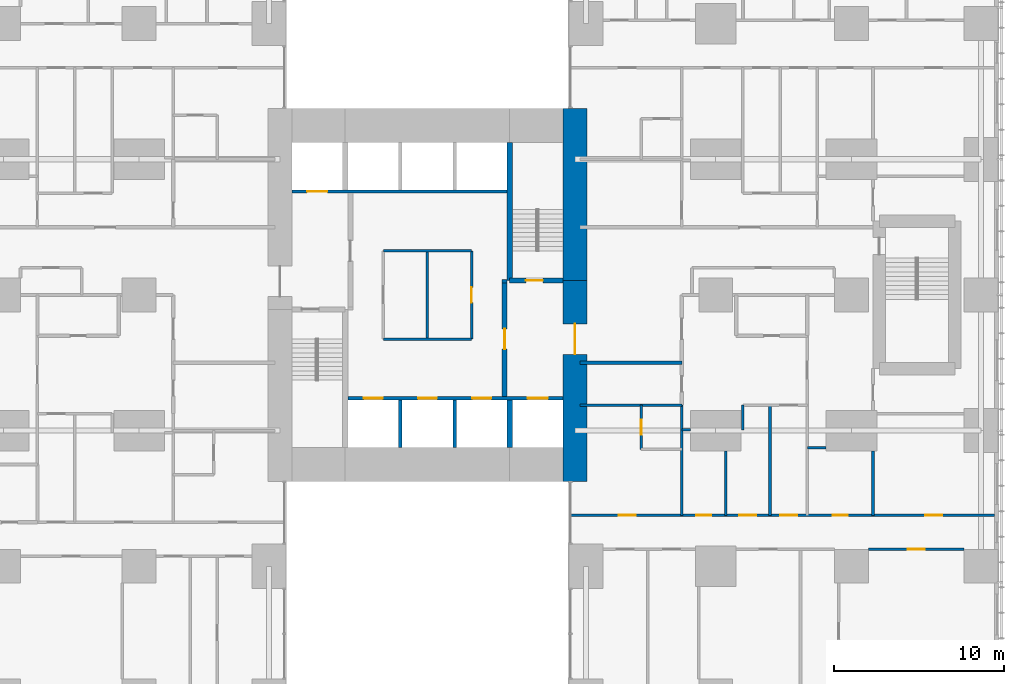
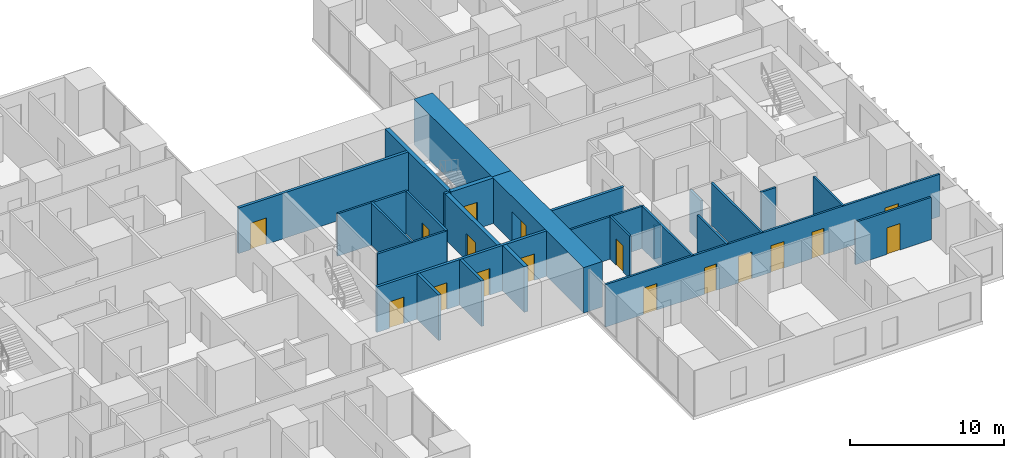
# One storey, part 15 of 20: 27 walls, 17 doors, 17 openings.
"""IFC4 building model written with IfcOpenShell, lengths in metres."""

from ifc_helpers import new_model, si_unit, direction, frame, frame_2d, origin, place, context, subcontext, project, spatial, rectangle, extrude, material, layer, layer_set, type_object, element, fill, save


model = new_model("IFC4")

# Units and contexts
model_context = context("Model", 3, precision=1e-05, world=origin(), true_north=direction((0.0, 1.0)))
body_context = subcontext(model_context, "Body", "Model", "MODEL_VIEW")
ifc_project = project(units=[si_unit("LENGTHUNIT", "METRE"), si_unit("AREAUNIT", "SQUARE_METRE"), si_unit("VOLUMEUNIT", "CUBIC_METRE"), si_unit("PLANEANGLEUNIT", "RADIAN"), si_unit("MASSUNIT", "GRAM", prefix="KILO")], contexts=[model_context])

# Site, building, storey
site_placement = place(None, origin())
site = spatial("IfcSite", under=ifc_project, at=site_placement, CompositionType="ELEMENT")
building_placement = place(site_placement, origin())
building = spatial("IfcBuilding", under=site, at=building_placement, Name="Cleftline Residences", CompositionType="ELEMENT")
storey_placement = place(building_placement, frame((0.0, 0.0, 153.800048828125)))
storey = spatial("IfcBuildingStorey", under=building, at=storey_placement, Name="L40", CompositionType="ELEMENT", Elevation=153.800048828125)

# Wall, opening, door
ifc_material_1 = material(Name="Concrete B70", Category="concrete")
ifc_layer_1 = layer(ifc_material_1, 1.39990234375)
ifc_layer_set_1 = layer_set([ifc_layer_1], Name="CORE WALL 1400")
wall_type_1 = type_object("IfcWallType", Name="CORE WALL 1400", PredefinedType="SHEAR", material=ifc_layer_set_1)
wall_1_placement = place(storey_placement, frame((41.699951171875, 13.0, 0.0), z_axis=(0.0, 0.0, 1.0), x_axis=(0.0, 1.0, 0.0)))
wall_1 = element("IfcWall", 1, at=wall_1_placement, inside=storey, type_object=wall_type_1, Name="Core wall E", PredefinedType="SHEAR", context=body_context, shape_type="SweptSolid", body=[
    extrude(rectangle(XDim=11.85009765625, YDim=1.39990234375, at=frame_2d((5.925048828125, 0.0))), origin(), (0.0, 0.0, 1.0), 3.599853515625),
])
opening_1_placement = place(wall_1_placement, frame((7.5, 0.0, 0.0)))
opening_1 = element("IfcOpeningElement", 2, at=opening_1_placement, cuts=wall_1, Name="Opening D7", PredefinedType="OPENING", context=body_context, shape_type="SweptSolid", body=[
    extrude(rectangle(XDim=1.800048828125, YDim=2.39990234375, at=frame_2d((0.89990234375, 1.199951171875))), frame((0.0, 0.7099609375, 0.0), z_axis=(0.0, -1.0, 0.0), x_axis=(1.0, 0.0, 0.0)), (0.0, 0.0, 1.0), 1.419921875),
])
ifc_material_2 = material(Name="Steel", Category="steel")
door_type_1 = type_object("IfcDoorType", Name="WING DOOR 1800X2400", OperationType="DOUBLE_DOOR_DOUBLE_SWING", PredefinedType="DOOR", material=ifc_material_2)
door_1_placement = place(opening_1_placement, origin())
door_1 = element("IfcDoor", 3, at=door_1_placement, inside=storey, type_object=door_type_1, Name="East wing door", OperationType="DOUBLE_DOOR_DOUBLE_SWING", OverallHeight=2.39990234375, OverallWidth=1.800048828125, PredefinedType="DOOR", context=body_context, shape_type="SweptSolid", body=[
    extrude(rectangle(XDim=1.800048828125, YDim=2.39990234375, at=frame_2d((0.89990234375, 1.199951171875))), frame((0.0, 0.02490234375, 0.0), z_axis=(0.0, -1.0, 0.0), x_axis=(1.0, 0.0, 0.0)), (0.0, 0.0, 1.0), 0.050048828125),
])
fill(opening_1, door_1)

# Walls
wall_2_placement = place(storey_placement, frame((41.699951171875, 24.85009765625, 0.0), z_axis=(0.0, 0.0, 1.0), x_axis=(0.0, 1.0, 0.0)))
element("IfcWall", 4, at=wall_2_placement, inside=storey, type_object=wall_type_1, Name="Core wall E1", PredefinedType="SHEAR", context=body_context, shape_type="SweptSolid", body=[
    extrude(rectangle(XDim=10.14990234375, YDim=1.39990234375, at=frame_2d((5.074951171875, 0.0))), origin(), (0.0, 0.0, 1.0), 3.599853515625),
])
ifc_material_3 = material(Name="Concrete B70", Category="concrete")
ifc_layer_2 = layer(ifc_material_3, 0.300048828125)
ifc_layer_set_2 = layer_set([ifc_layer_2], Name="CORE WALL 300")
wall_type_2 = type_object("IfcWallType", Name="CORE WALL 300", PredefinedType="SHEAR", material=ifc_layer_set_2)
wall_3_placement = place(storey_placement, frame((37.85009765625, 24.85009765625, 0.0), z_axis=(0.0, 0.0, 1.0), x_axis=(0.0, 1.0, 0.0)))
element("IfcWall", 5, at=wall_3_placement, inside=storey, type_object=wall_type_2, Name="Core wall SB-W", PredefinedType="SHEAR", context=body_context, shape_type="SweptSolid", body=[
    extrude(rectangle(XDim=8.14990234375, YDim=0.300048828125, at=frame_2d((4.074951171875, 0.0))), origin(), (0.0, 0.0, 1.0), 3.599853515625),
])

# Wall, opening, door
wall_4_placement = place(storey_placement, frame((37.85009765625, 24.85009765625, 0.0), z_axis=(0.0, 0.0, 1.0), x_axis=(1.0, 0.0, 0.0)))
wall_4 = element("IfcWall", 6, at=wall_4_placement, inside=storey, type_object=wall_type_2, Name="Core wall SB-S", PredefinedType="SHEAR", context=body_context, shape_type="SweptSolid", body=[
    extrude(rectangle(XDim=3.14990234375, YDim=0.300048828125, at=frame_2d((1.574951171875, 0.0))), origin(), (0.0, 0.0, 1.0), 3.599853515625),
])
opening_2_placement = place(wall_4_placement, frame((0.949951171875, 0.0, 0.0)))
opening_2 = element("IfcOpeningElement", 7, at=opening_2_placement, cuts=wall_4, Name="Opening D5", PredefinedType="OPENING", context=body_context, shape_type="SweptSolid", body=[
    extrude(rectangle(XDim=1.0, YDim=2.10009765625, at=frame_2d((0.5, 1.050048828125))), frame((0.0, 0.159912109375, 0.0), z_axis=(0.0, -1.0, 0.0), x_axis=(1.0, 0.0, 0.0)), (0.0, 0.0, 1.0), 0.320068359375),
])
ifc_material_4 = material(Name="Steel", Category="steel")
door_type_2 = type_object("IfcDoorType", Name="STAIR DOOR 1000X2100", OperationType="SINGLE_SWING_LEFT", PredefinedType="DOOR", material=ifc_material_4)
door_2_placement = place(opening_2_placement, origin())
door_2 = element("IfcDoor", 8, at=door_2_placement, inside=storey, type_object=door_type_2, Name="Stair B door", OperationType="SINGLE_SWING_RIGHT", OverallHeight=2.10009765625, OverallWidth=1.0, PredefinedType="DOOR", context=body_context, shape_type="SweptSolid", body=[
    extrude(rectangle(XDim=1.0, YDim=2.10009765625, at=frame_2d((0.5, 1.050048828125))), frame((0.0, 0.02490234375, 0.0), z_axis=(0.0, -1.0, 0.0), x_axis=(1.0, 0.0, 0.0)), (0.0, 0.0, 1.0), 0.050048828125),
])
fill(opening_2, door_2)

# Walls
wall_5_placement = place(storey_placement, frame((37.85009765625, 15.0, 0.0), z_axis=(0.0, 0.0, 1.0), x_axis=(0.0, 1.0, 0.0)))
element("IfcWall", 9, at=wall_5_placement, inside=storey, type_object=wall_type_2, Name="Lift shaft wall", PredefinedType="SHEAR", context=body_context, shape_type="SweptSolid", body=[
    extrude(rectangle(XDim=2.800048828125, YDim=0.300048828125, at=frame_2d((1.39990234375, 0.0))), origin(), (0.0, 0.0, 1.0), 3.599853515625),
])
ifc_material_5 = material(Name="Concrete blockwork, fire rated", Category="masonry")
ifc_layer_3 = layer(ifc_material_5, 0.199951171875)
ifc_layer_set_3 = layer_set([ifc_layer_3], Name="FIRE WALL 200")
wall_type_3 = type_object("IfcWallType", Name="FIRE WALL 200", PredefinedType="PARTITIONING", material=ifc_layer_set_3)
wall_6_placement = place(storey_placement, frame((42.0, 20.0, 0.0), z_axis=(0.0, 0.0, 1.0), x_axis=(1.0, 0.0, 0.0)))
element("IfcWall", 10, at=wall_6_placement, inside=storey, type_object=wall_type_3, Name="Fire separating wall", PredefinedType="PARTITIONING", context=body_context, shape_type="SweptSolid", body=[
    extrude(rectangle(XDim=6.0, YDim=0.199951171875, at=frame_2d((3.0, 0.0))), origin(), (0.0, 0.0, 1.0), 3.349853515625),
])
wall_7_placement = place(storey_placement, frame((37.39990234375, 24.800048828125, 0.0), z_axis=(0.0, 0.0, 1.0), x_axis=(1.0, 0.0, 0.0)))
element("IfcWall", 11, at=wall_7_placement, inside=storey, type_object=wall_type_3, Name="Fire separating wall", PredefinedType="PARTITIONING", context=body_context, shape_type="SweptSolid", body=[
    extrude(rectangle(XDim=0.300048828125, YDim=0.199951171875, at=frame_2d((0.14990234375, 0.0))), origin(), (0.0, 0.0, 1.0), 3.599853515625),
])

# Wall, opening, door
ifc_material_6 = material(Name="Gypsum board on steel studs", Category="steel")
ifc_layer_4 = layer(ifc_material_6, 0.14990234375)
ifc_layer_set_4 = layer_set([ifc_layer_4], Name="PARTITION 150")
wall_type_4 = type_object("IfcWallType", Name="PARTITION 150", PredefinedType="PARTITIONING", material=ifc_layer_set_4)
wall_8_placement = place(storey_placement, frame((59.0, 9.0, 0.0), z_axis=(0.0, 0.0, 1.0), x_axis=(1.0, 0.0, 0.0)))
wall_8 = element("IfcWall", 12, at=wall_8_placement, inside=storey, type_object=wall_type_4, Name="Partition", PredefinedType="PARTITIONING", context=body_context, shape_type="SweptSolid", body=[
    extrude(rectangle(XDim=5.64990234375, YDim=0.14990234375, at=frame_2d((2.824951171875, 0.0))), origin(), (0.0, 0.0, 1.0), 3.349853515625),
])
opening_3_placement = place(wall_8_placement, frame((2.324951171875, 0.0, 0.0)))
opening_3 = element("IfcOpeningElement", 13, at=opening_3_placement, cuts=wall_8, Name="Opening D2", PredefinedType="OPENING", context=body_context, shape_type="SweptSolid", body=[
    extrude(rectangle(XDim=1.0, YDim=2.10009765625, at=frame_2d((0.5, 1.050048828125))), frame((0.0, 0.0849609375, 0.0), z_axis=(0.0, -1.0, 0.0), x_axis=(1.0, 0.0, 0.0)), (0.0, 0.0, 1.0), 0.169921875),
])
ifc_material_7 = material(Name="Timber veneer on solid core", Category="wood")
door_type_3 = type_object("IfcDoorType", Name="DOOR 1000X2100", OperationType="SINGLE_SWING_LEFT", PredefinedType="DOOR", material=ifc_material_7)
door_3_placement = place(opening_3_placement, origin())
door_3 = element("IfcDoor", 14, at=door_3_placement, inside=storey, type_object=door_type_3, Name="Door to sea-view living room", OperationType="SINGLE_SWING_LEFT", OverallHeight=2.10009765625, OverallWidth=1.0, PredefinedType="DOOR", context=body_context, shape_type="SweptSolid", body=[
    extrude(rectangle(XDim=1.0, YDim=2.10009765625, at=frame_2d((0.5, 1.050048828125))), frame((0.0, 0.02490234375, 0.0), z_axis=(0.0, -1.0, 0.0), x_axis=(1.0, 0.0, 0.0)), (0.0, 0.0, 1.0), 0.050048828125),
])
fill(opening_3, door_3)

# Wall, openings, doors
wall_9_placement = place(storey_placement, frame((41.43896484375, 11.0, 0.0), z_axis=(0.0, 0.0, 1.0), x_axis=(1.0, 0.0, 0.0)))
wall_9 = element("IfcWall", 15, at=wall_9_placement, inside=storey, type_object=wall_type_4, Name="Partition", PredefinedType="PARTITIONING", context=body_context, shape_type="SweptSolid", body=[
    extrude(rectangle(XDim=25.010986328125, YDim=0.14990234375, at=frame_2d((12.50537109375, 0.0))), origin(), (0.0, 0.0, 1.0), 3.349853515625),
])
opening_4_placement = place(wall_9_placement, frame((12.361083984375, 0.0, 0.0)))
opening_4 = element("IfcOpeningElement", 16, at=opening_4_placement, cuts=wall_9, Name="Opening D2F30", PredefinedType="OPENING", context=body_context, shape_type="SweptSolid", body=[
    extrude(rectangle(XDim=1.0, YDim=2.10009765625, at=frame_2d((0.5, 1.050048828125))), frame((0.0, 0.0849609375, 0.0), z_axis=(0.0, -1.0, 0.0), x_axis=(1.0, 0.0, 0.0)), (0.0, 0.0, 1.0), 0.169921875),
])
opening_5_placement = place(wall_9_placement, frame((20.923583984375, 0.0, 0.0)))
opening_5 = element("IfcOpeningElement", 17, at=opening_5_placement, cuts=wall_9, Name="Opening D2F30", PredefinedType="OPENING", context=body_context, shape_type="SweptSolid", body=[
    extrude(rectangle(XDim=1.0, YDim=2.10009765625, at=frame_2d((0.5, 1.050048828125))), frame((0.0, 0.0849609375, 0.0), z_axis=(0.0, -1.0, 0.0), x_axis=(1.0, 0.0, 0.0)), (0.0, 0.0, 1.0), 0.169921875),
])
opening_6_placement = place(wall_9_placement, frame((15.448486328125, 0.0, 0.0)))
opening_6 = element("IfcOpeningElement", 18, at=opening_6_placement, cuts=wall_9, Name="Opening D1F30", PredefinedType="OPENING", context=body_context, shape_type="SweptSolid", body=[
    extrude(rectangle(XDim=0.89990234375, YDim=2.10009765625, at=frame_2d((0.449951171875, 1.050048828125))), frame((0.0, 0.0849609375, 0.0), z_axis=(0.0, -1.0, 0.0), x_axis=(1.0, 0.0, 0.0)), (0.0, 0.0, 1.0), 0.169921875),
])
opening_7_placement = place(wall_9_placement, frame((9.9609375, 0.0, 0.0)))
opening_7 = element("IfcOpeningElement", 19, at=opening_7_placement, cuts=wall_9, Name="Opening D2F30", PredefinedType="OPENING", context=body_context, shape_type="SweptSolid", body=[
    extrude(rectangle(XDim=1.0, YDim=2.10009765625, at=frame_2d((0.5, 1.050048828125))), frame((0.0, 0.0849609375, 0.0), z_axis=(0.0, -1.0, 0.0), x_axis=(1.0, 0.0, 0.0)), (0.0, 0.0, 1.0), 0.169921875),
])
opening_8_placement = place(wall_9_placement, frame((7.410888671875, 0.0, 0.0)))
opening_8 = element("IfcOpeningElement", 20, at=opening_8_placement, cuts=wall_9, Name="Opening D1F30", PredefinedType="OPENING", context=body_context, shape_type="SweptSolid", body=[
    extrude(rectangle(XDim=0.89990234375, YDim=2.10009765625, at=frame_2d((0.449951171875, 1.050048828125))), frame((0.0, 0.0849609375, 0.0), z_axis=(0.0, -1.0, 0.0), x_axis=(1.0, 0.0, 0.0)), (0.0, 0.0, 1.0), 0.169921875),
])
opening_9_placement = place(wall_9_placement, frame((2.8359375, 0.0, 0.0)))
opening_9 = element("IfcOpeningElement", 21, at=opening_9_placement, cuts=wall_9, Name="Opening D2F30", PredefinedType="OPENING", context=body_context, shape_type="SweptSolid", body=[
    extrude(rectangle(XDim=1.0, YDim=2.10009765625, at=frame_2d((0.5, 1.050048828125))), frame((0.0, 0.0849609375, 0.0), z_axis=(0.0, -1.0, 0.0), x_axis=(1.0, 0.0, 0.0)), (0.0, 0.0, 1.0), 0.169921875),
])
ifc_material_8 = material(Name="Timber veneer on solid core", Category="wood")
door_type_4 = type_object("IfcDoorType", Name="DOOR 1000X2100 EI 30", OperationType="SINGLE_SWING_LEFT", PredefinedType="DOOR", material=ifc_material_8)
door_4_placement = place(opening_4_placement, origin())
door_4 = element("IfcDoor", 22, at=door_4_placement, inside=storey, type_object=door_type_4, Name="Door to residence hall (gallery)", OperationType="SINGLE_SWING_LEFT", OverallHeight=2.10009765625, OverallWidth=1.0, PredefinedType="DOOR", context=body_context, shape_type="SweptSolid", body=[
    extrude(rectangle(XDim=1.0, YDim=2.10009765625, at=frame_2d((0.5, 1.050048828125))), frame((0.0, 0.02490234375, 0.0), z_axis=(0.0, -1.0, 0.0), x_axis=(1.0, 0.0, 0.0)), (0.0, 0.0, 1.0), 0.050048828125),
])
fill(opening_4, door_4)
door_5_placement = place(opening_5_placement, origin())
door_5 = element("IfcDoor", 23, at=door_5_placement, inside=storey, type_object=door_type_4, Name="Door to altar room", OperationType="SINGLE_SWING_LEFT", OverallHeight=2.10009765625, OverallWidth=1.0, PredefinedType="DOOR", context=body_context, shape_type="SweptSolid", body=[
    extrude(rectangle(XDim=1.0, YDim=2.10009765625, at=frame_2d((0.5, 1.050048828125))), frame((0.0, 0.02490234375, 0.0), z_axis=(0.0, -1.0, 0.0), x_axis=(1.0, 0.0, 0.0)), (0.0, 0.0, 1.0), 0.050048828125),
])
fill(opening_5, door_5)
door_6_placement = place(opening_7_placement, origin())
door_6 = element("IfcDoor", 24, at=door_6_placement, inside=storey, type_object=door_type_4, Name="Door to wet kitchen", OperationType="SINGLE_SWING_RIGHT", OverallHeight=2.10009765625, OverallWidth=1.0, PredefinedType="DOOR", context=body_context, shape_type="SweptSolid", body=[
    extrude(rectangle(XDim=1.0, YDim=2.10009765625, at=frame_2d((0.5, 1.050048828125))), frame((0.0, 0.02490234375, 0.0), z_axis=(0.0, -1.0, 0.0), x_axis=(1.0, 0.0, 0.0)), (0.0, 0.0, 1.0), 0.050048828125),
])
fill(opening_7, door_6)
door_7_placement = place(opening_9_placement, origin())
door_7 = element("IfcDoor", 25, at=door_7_placement, inside=storey, type_object=door_type_4, Name="Door to staff bedroom", OperationType="SINGLE_SWING_RIGHT", OverallHeight=2.10009765625, OverallWidth=1.0, PredefinedType="DOOR", context=body_context, shape_type="SweptSolid", body=[
    extrude(rectangle(XDim=1.0, YDim=2.10009765625, at=frame_2d((0.5, 1.050048828125))), frame((0.0, 0.02490234375, 0.0), z_axis=(0.0, -1.0, 0.0), x_axis=(1.0, 0.0, 0.0)), (0.0, 0.0, 1.0), 0.050048828125),
])
fill(opening_9, door_7)
ifc_material_9 = material(Name="Timber veneer on solid core", Category="wood")
door_type_5 = type_object("IfcDoorType", Name="DOOR 900X2100 EI 30", OperationType="SINGLE_SWING_LEFT", PredefinedType="DOOR", material=ifc_material_9)
door_8_placement = place(opening_6_placement, origin())
door_8 = element("IfcDoor", 26, at=door_8_placement, inside=storey, type_object=door_type_5, Name="Door to store room", OperationType="SINGLE_SWING_LEFT", OverallHeight=2.10009765625, OverallWidth=0.89990234375, PredefinedType="DOOR", context=body_context, shape_type="SweptSolid", body=[
    extrude(rectangle(XDim=0.89990234375, YDim=2.10009765625, at=frame_2d((0.449951171875, 1.050048828125))), frame((0.0, 0.02490234375, 0.0), z_axis=(0.0, -1.0, 0.0), x_axis=(1.0, 0.0, 0.0)), (0.0, 0.0, 1.0), 0.050048828125),
])
fill(opening_6, door_8)
door_9_placement = place(opening_8_placement, origin())
door_9 = element("IfcDoor", 27, at=door_9_placement, inside=storey, type_object=door_type_5, Name="Door to pantry", OperationType="SINGLE_SWING_RIGHT", OverallHeight=2.10009765625, OverallWidth=0.89990234375, PredefinedType="DOOR", context=body_context, shape_type="SweptSolid", body=[
    extrude(rectangle(XDim=0.89990234375, YDim=2.10009765625, at=frame_2d((0.449951171875, 1.050048828125))), frame((0.0, 0.02490234375, 0.0), z_axis=(0.0, -1.0, 0.0), x_axis=(1.0, 0.0, 0.0)), (0.0, 0.0, 1.0), 0.050048828125),
])
fill(opening_8, door_9)

# Walls
wall_10_placement = place(storey_placement, frame((55.39990234375, 15.0, 0.0), z_axis=(0.0, 0.0, 1.0), x_axis=(1.0, 0.0, 0.0)))
element("IfcWall", 28, at=wall_10_placement, inside=storey, type_object=wall_type_4, Name="Partition", PredefinedType="PARTITIONING", context=body_context, shape_type="SweptSolid", body=[
    extrude(rectangle(XDim=1.10009765625, YDim=0.14990234375, at=frame_2d((0.550048828125, 0.0))), origin(), (0.0, 0.0, 1.0), 3.349853515625),
])
wall_11_placement = place(storey_placement, frame((48.0, 16.050048828125, 0.0), z_axis=(0.0, 0.0, 1.0), x_axis=(1.0, 0.0, 0.0)))
element("IfcWall", 29, at=wall_11_placement, inside=storey, type_object=wall_type_4, Name="Partition", PredefinedType="PARTITIONING", context=body_context, shape_type="SweptSolid", body=[
    extrude(rectangle(XDim=0.5, YDim=0.14990234375, at=frame_2d((0.25, 0.0))), origin(), (0.0, 0.0, 1.0), 2.634033203125),
])
wall_12_placement = place(storey_placement, frame((42.0, 17.5, 0.0), z_axis=(0.0, 0.0, 1.0), x_axis=(1.0, 0.0, 0.0)))
element("IfcWall", 30, at=wall_12_placement, inside=storey, type_object=wall_type_4, Name="Partition", PredefinedType="PARTITIONING", context=body_context, shape_type="SweptSolid", body=[
    extrude(rectangle(XDim=6.0, YDim=0.14990234375, at=frame_2d((3.0, 0.0))), origin(), (0.0, 0.0, 1.0), 3.349853515625),
])

# Wall, opening, door
wall_13_placement = place(storey_placement, frame((45.60009765625, 14.89990234375, 0.0), z_axis=(0.0, 0.0, 1.0), x_axis=(0.0, 1.0, 0.0)))
wall_13 = element("IfcWall", 31, at=wall_13_placement, inside=storey, type_object=wall_type_4, Name="Partition", PredefinedType="PARTITIONING", context=body_context, shape_type="SweptSolid", body=[
    extrude(rectangle(XDim=2.60009765625, YDim=0.14990234375, at=frame_2d((1.300048828125, 0.0))), origin(), (0.0, 0.0, 1.0), 3.349853515625),
])
opening_10_placement = place(wall_13_placement, frame((0.85009765625, 0.0, 0.0)))
opening_10 = element("IfcOpeningElement", 32, at=opening_10_placement, cuts=wall_13, Name="Opening D1", PredefinedType="OPENING", context=body_context, shape_type="SweptSolid", body=[
    extrude(rectangle(XDim=0.89990234375, YDim=2.10009765625, at=frame_2d((0.449951171875, 1.050048828125))), frame((0.0, 0.0849609375, 0.0), z_axis=(0.0, -1.0, 0.0), x_axis=(1.0, 0.0, 0.0)), (0.0, 0.0, 1.0), 0.169921875),
])
ifc_material_10 = material(Name="Timber veneer on solid core", Category="wood")
door_type_6 = type_object("IfcDoorType", Name="DOOR 900X2100", OperationType="SINGLE_SWING_LEFT", PredefinedType="DOOR", material=ifc_material_10)
door_10_placement = place(opening_10_placement, origin())
door_10 = element("IfcDoor", 33, at=door_10_placement, inside=storey, type_object=door_type_6, Name="Door to staff shower room", OperationType="SINGLE_SWING_LEFT", OverallHeight=2.10009765625, OverallWidth=0.89990234375, PredefinedType="DOOR", context=body_context, shape_type="SweptSolid", body=[
    extrude(rectangle(XDim=0.89990234375, YDim=2.10009765625, at=frame_2d((0.449951171875, 1.050048828125))), frame((0.0, 0.02490234375, 0.0), z_axis=(0.0, -1.0, 0.0), x_axis=(1.0, 0.0, 0.0)), (0.0, 0.0, 1.0), 0.050048828125),
])
fill(opening_10, door_10)

# Walls
wall_14_placement = place(storey_placement, frame((48.0, 11.0, 0.0), z_axis=(0.0, 0.0, 1.0), x_axis=(0.0, 1.0, 0.0)))
element("IfcWall", 34, at=wall_14_placement, inside=storey, type_object=wall_type_4, Name="Partition", PredefinedType="PARTITIONING", context=body_context, shape_type="SweptSolid", body=[
    extrude(rectangle(XDim=6.5, YDim=0.14990234375, at=frame_2d((3.25, 0.0))), origin(), (0.0, 0.0, 1.0), 3.349853515625),
])
wall_15_placement = place(storey_placement, frame((50.60009765625, 11.0, 0.0), z_axis=(0.0, 0.0, 1.0), x_axis=(0.0, 1.0, 0.0)))
element("IfcWall", 35, at=wall_15_placement, inside=storey, type_object=wall_type_4, Name="Partition", PredefinedType="PARTITIONING", context=body_context, shape_type="SweptSolid", body=[
    extrude(rectangle(XDim=3.800048828125, YDim=0.14990234375, at=frame_2d((1.89990234375, 0.0))), origin(), (0.0, 0.0, 1.0), 3.349853515625),
])
wall_16_placement = place(storey_placement, frame((51.60009765625, 16.050048828125, 0.0), z_axis=(0.0, 0.0, 1.0), x_axis=(0.0, 1.0, 0.0)))
element("IfcWall", 36, at=wall_16_placement, inside=storey, type_object=wall_type_4, Name="Partition", PredefinedType="PARTITIONING", context=body_context, shape_type="SweptSolid", body=[
    extrude(rectangle(XDim=1.449951171875, YDim=0.14990234375, at=frame_2d((0.72509765625, 0.0))), origin(), (0.0, 0.0, 1.0), 3.349853515625),
])
wall_17_placement = place(storey_placement, frame((53.199951171875, 11.0, 0.0), z_axis=(0.0, 0.0, 1.0), x_axis=(0.0, 1.0, 0.0)))
element("IfcWall", 37, at=wall_17_placement, inside=storey, type_object=wall_type_4, Name="Partition", PredefinedType="PARTITIONING", context=body_context, shape_type="SweptSolid", body=[
    extrude(rectangle(XDim=6.5, YDim=0.14990234375, at=frame_2d((3.25, 0.0))), origin(), (0.0, 0.0, 1.0), 3.349853515625),
])
wall_18_placement = place(storey_placement, frame((59.27490234375, 11.0, 0.0), z_axis=(0.0, 0.0, 1.0), x_axis=(0.0, 1.0, 0.0)))
element("IfcWall", 38, at=wall_18_placement, inside=storey, type_object=wall_type_4, Name="Partition", PredefinedType="PARTITIONING", context=body_context, shape_type="SweptSolid", body=[
    extrude(rectangle(XDim=3.800048828125, YDim=0.14990234375, at=frame_2d((1.89990234375, 0.0))), origin(), (0.0, 0.0, 1.0), 3.349853515625),
])
ifc_material_11 = material(Name="Fire-resisting gypsum board on steel studs", Category="steel")
ifc_layer_5 = layer(ifc_material_11, 0.14990234375)
ifc_layer_set_5 = layer_set([ifc_layer_5], Name="PARTITION 150 EI 60")
wall_type_5 = type_object("IfcWallType", Name="PARTITION 150 EI 60", PredefinedType="PARTITIONING", material=ifc_layer_set_5)
for number, where, z_axis, x_axis, name in (
    (39, (30.39990234375, 21.39990234375, 0.0), (0.0, 0.0, 1.0), (1.0, 0.0, 0.0), "Core room partition"),
    (40, (30.39990234375, 26.60009765625, 0.0), (0.0, 0.0, 1.0), (1.0, 0.0, 0.0), "Core room partition"),
):
    element("IfcWall", number, at=place(storey_placement, frame(where, z_axis=z_axis, x_axis=x_axis)), inside=storey, type_object=wall_type_5, Name=name, PredefinedType="PARTITIONING", context=body_context, shape_type="SweptSolid", body=[
        extrude(rectangle(XDim=5.2001953125, YDim=0.14990234375, at=frame_2d((2.60009765625, 0.0))), origin(), (0.0, 0.0, 1.0), 3.349853515625),
    ])

# Wall, opening, door
wall_19_placement = place(storey_placement, frame((35.60009765625, 21.39990234375, 0.0), z_axis=(0.0, 0.0, 1.0), x_axis=(0.0, 1.0, 0.0)))
wall_19 = element("IfcWall", 41, at=wall_19_placement, inside=storey, type_object=wall_type_5, Name="Core room partition", PredefinedType="PARTITIONING", context=body_context, shape_type="SweptSolid", body=[
    extrude(rectangle(XDim=5.2001953125, YDim=0.14990234375, at=frame_2d((2.60009765625, 0.0))), origin(), (0.0, 0.0, 1.0), 3.349853515625),
])
opening_11_placement = place(wall_19_placement, frame((2.14990234375, 0.0, 0.0)))
opening_11 = element("IfcOpeningElement", 42, at=opening_11_placement, cuts=wall_19, Name="Opening D1F30", PredefinedType="OPENING", context=body_context, shape_type="SweptSolid", body=[
    extrude(rectangle(XDim=0.89990234375, YDim=2.10009765625, at=frame_2d((0.449951171875, 1.050048828125))), frame((0.0, 0.0849609375, 0.0), z_axis=(0.0, -1.0, 0.0), x_axis=(1.0, 0.0, 0.0)), (0.0, 0.0, 1.0), 0.169921875),
])
door_11_placement = place(opening_11_placement, origin())
door_11 = element("IfcDoor", 43, at=door_11_placement, inside=storey, type_object=door_type_5, Name="Door to cleaner's store", OperationType="SINGLE_SWING_LEFT", OverallHeight=2.10009765625, OverallWidth=0.89990234375, PredefinedType="DOOR", context=body_context, shape_type="SweptSolid", body=[
    extrude(rectangle(XDim=0.89990234375, YDim=2.10009765625, at=frame_2d((0.449951171875, 1.050048828125))), frame((0.0, 0.02490234375, 0.0), z_axis=(0.0, -1.0, 0.0), x_axis=(1.0, 0.0, 0.0)), (0.0, 0.0, 1.0), 0.050048828125),
])
fill(opening_11, door_11)

# Wall
wall_20_placement = place(storey_placement, frame((33.0, 21.39990234375, 0.0), z_axis=(0.0, 0.0, 1.0), x_axis=(0.0, 1.0, 0.0)))
element("IfcWall", 44, at=wall_20_placement, inside=storey, type_object=wall_type_5, Name="Core room partition", PredefinedType="PARTITIONING", context=body_context, shape_type="SweptSolid", body=[
    extrude(rectangle(XDim=5.2001953125, YDim=0.14990234375, at=frame_2d((2.60009765625, 0.0))), origin(), (0.0, 0.0, 1.0), 3.349853515625),
])

# Wall, openings, doors
ifc_material_12 = material(Name="Concrete blockwork, fire rated", Category="masonry")
ifc_layer_6 = layer(ifc_material_12, 0.199951171875)
ifc_layer_set_6 = layer_set([ifc_layer_6], Name="SHAFT WALL 200")
wall_type_6 = type_object("IfcWallType", Name="SHAFT WALL 200", PredefinedType="PARTITIONING", material=ifc_layer_set_6)
wall_21_placement = place(storey_placement, frame((28.300048828125, 17.89990234375, 0.0), z_axis=(0.0, 0.0, 1.0), x_axis=(1.0, 0.0, 0.0)))
wall_21 = element("IfcWall", 45, at=wall_21_placement, inside=storey, type_object=wall_type_6, Name="Lift shaft wall", PredefinedType="PARTITIONING", context=body_context, shape_type="SweptSolid", body=[
    extrude(rectangle(XDim=12.699951171875, YDim=0.199951171875, at=frame_2d((6.35009765625, 0.0))), origin(), (0.0, 0.0, 1.0), 3.599853515625),
])
opening_12_placement = place(wall_21_placement, frame((0.949951171875, 0.0, 0.0)))
opening_12 = element("IfcOpeningElement", 46, at=opening_12_placement, cuts=wall_21, Name="Opening LD1", PredefinedType="OPENING", context=body_context, shape_type="SweptSolid", body=[
    extrude(rectangle(XDim=1.10009765625, YDim=2.10009765625, at=frame_2d((0.550048828125, 1.050048828125))), frame((0.0, 0.10986328125, 0.0), z_axis=(0.0, -1.0, 0.0), x_axis=(1.0, 0.0, 0.0)), (0.0, 0.0, 1.0), 0.219970703125),
])
opening_13_placement = place(wall_21_placement, frame((4.14990234375, 0.0, 0.0)))
opening_13 = element("IfcOpeningElement", 47, at=opening_13_placement, cuts=wall_21, Name="Opening LD1", PredefinedType="OPENING", context=body_context, shape_type="SweptSolid", body=[
    extrude(rectangle(XDim=1.10009765625, YDim=2.10009765625, at=frame_2d((0.550048828125, 1.050048828125))), frame((0.0, 0.10986328125, 0.0), z_axis=(0.0, -1.0, 0.0), x_axis=(1.0, 0.0, 0.0)), (0.0, 0.0, 1.0), 0.219970703125),
])
opening_14_placement = place(wall_21_placement, frame((7.35009765625, 0.0, 0.0)))
opening_14 = element("IfcOpeningElement", 48, at=opening_14_placement, cuts=wall_21, Name="Opening LD1", PredefinedType="OPENING", context=body_context, shape_type="SweptSolid", body=[
    extrude(rectangle(XDim=1.10009765625, YDim=2.10009765625, at=frame_2d((0.550048828125, 1.050048828125))), frame((0.0, 0.10986328125, 0.0), z_axis=(0.0, -1.0, 0.0), x_axis=(1.0, 0.0, 0.0)), (0.0, 0.0, 1.0), 0.219970703125),
])
opening_15_placement = place(wall_21_placement, frame((10.60009765625, 0.0, 0.0)))
opening_15 = element("IfcOpeningElement", 49, at=opening_15_placement, cuts=wall_21, Name="Opening LD2", PredefinedType="OPENING", context=body_context, shape_type="SweptSolid", body=[
    extrude(rectangle(XDim=1.199951171875, YDim=2.10009765625, at=frame_2d((0.60009765625, 1.050048828125))), frame((0.0, 0.10986328125, 0.0), z_axis=(0.0, -1.0, 0.0), x_axis=(1.0, 0.0, 0.0)), (0.0, 0.0, 1.0), 0.219970703125),
])
ifc_material_13 = material(Name="Steel", Category="steel")
door_type_7 = type_object("IfcDoorType", Name="FIREFIGHTING LIFT LANDING DOOR 1200X2100", OperationType="SLIDING_TO_LEFT", PredefinedType="DOOR", material=ifc_material_13)
door_12_placement = place(opening_15_placement, origin())
door_12 = element("IfcDoor", 50, at=door_12_placement, inside=storey, type_object=door_type_7, Name="Lift FL2 landing door", OperationType="SLIDING_TO_LEFT", OverallHeight=2.10009765625, OverallWidth=1.199951171875, PredefinedType="DOOR", context=body_context, shape_type="SweptSolid", body=[
    extrude(rectangle(XDim=1.199951171875, YDim=2.10009765625, at=frame_2d((0.60009765625, 1.050048828125))), frame((0.0, 0.02490234375, 0.0), z_axis=(0.0, -1.0, 0.0), x_axis=(1.0, 0.0, 0.0)), (0.0, 0.0, 1.0), 0.050048828125),
])
fill(opening_15, door_12)
ifc_material_14 = material(Name="Steel", Category="steel")
door_type_8 = type_object("IfcDoorType", Name="LIFT LANDING DOOR 1100X2100", OperationType="SLIDING_TO_LEFT", PredefinedType="DOOR", material=ifc_material_14)
door_13_placement = place(opening_12_placement, origin())
door_13 = element("IfcDoor", 51, at=door_13_placement, inside=storey, type_object=door_type_8, Name="Lift P1 landing door", OperationType="SLIDING_TO_LEFT", OverallHeight=2.10009765625, OverallWidth=1.10009765625, PredefinedType="DOOR", context=body_context, shape_type="SweptSolid", body=[
    extrude(rectangle(XDim=1.10009765625, YDim=2.10009765625, at=frame_2d((0.550048828125, 1.050048828125))), frame((0.0, 0.02490234375, 0.0), z_axis=(0.0, -1.0, 0.0), x_axis=(1.0, 0.0, 0.0)), (0.0, 0.0, 1.0), 0.050048828125),
])
fill(opening_12, door_13)
door_14_placement = place(opening_13_placement, origin())
door_14 = element("IfcDoor", 52, at=door_14_placement, inside=storey, type_object=door_type_8, Name="Lift P2 landing door", OperationType="SLIDING_TO_LEFT", OverallHeight=2.10009765625, OverallWidth=1.10009765625, PredefinedType="DOOR", context=body_context, shape_type="SweptSolid", body=[
    extrude(rectangle(XDim=1.10009765625, YDim=2.10009765625, at=frame_2d((0.550048828125, 1.050048828125))), frame((0.0, 0.02490234375, 0.0), z_axis=(0.0, -1.0, 0.0), x_axis=(1.0, 0.0, 0.0)), (0.0, 0.0, 1.0), 0.050048828125),
])
fill(opening_13, door_14)
door_15_placement = place(opening_14_placement, origin())
door_15 = element("IfcDoor", 53, at=door_15_placement, inside=storey, type_object=door_type_8, Name="Lift P3 landing door", OperationType="SLIDING_TO_LEFT", OverallHeight=2.10009765625, OverallWidth=1.10009765625, PredefinedType="DOOR", context=body_context, shape_type="SweptSolid", body=[
    extrude(rectangle(XDim=1.10009765625, YDim=2.10009765625, at=frame_2d((0.550048828125, 1.050048828125))), frame((0.0, 0.02490234375, 0.0), z_axis=(0.0, -1.0, 0.0), x_axis=(1.0, 0.0, 0.0)), (0.0, 0.0, 1.0), 0.050048828125),
])
fill(opening_14, door_15)

# Wall, opening, door
wall_22_placement = place(storey_placement, frame((25.0, 30.10009765625, 0.0), z_axis=(0.0, 0.0, 1.0), x_axis=(1.0, 0.0, 0.0)))
wall_22 = element("IfcWall", 54, at=wall_22_placement, inside=storey, type_object=wall_type_6, Name="Lift shaft wall", PredefinedType="PARTITIONING", context=body_context, shape_type="SweptSolid", body=[
    extrude(rectangle(XDim=12.699951171875, YDim=0.199951171875, at=frame_2d((6.35009765625, 0.0))), origin(), (0.0, 0.0, 1.0), 3.599853515625),
])
opening_16_placement = place(wall_22_placement, frame((0.89990234375, 0.0, 0.0)))
opening_16 = element("IfcOpeningElement", 55, at=opening_16_placement, cuts=wall_22, Name="Opening LD2", PredefinedType="OPENING", context=body_context, shape_type="SweptSolid", body=[
    extrude(rectangle(XDim=1.199951171875, YDim=2.10009765625, at=frame_2d((0.60009765625, 1.050048828125))), frame((0.0, 0.10986328125, 0.0), z_axis=(0.0, -1.0, 0.0), x_axis=(1.0, 0.0, 0.0)), (0.0, 0.0, 1.0), 0.219970703125),
])
door_16_placement = place(opening_16_placement, origin())
door_16 = element("IfcDoor", 56, at=door_16_placement, inside=storey, type_object=door_type_7, Name="Lift FL1 landing door", OperationType="SLIDING_TO_LEFT", OverallHeight=2.10009765625, OverallWidth=1.199951171875, PredefinedType="DOOR", context=body_context, shape_type="SweptSolid", body=[
    extrude(rectangle(XDim=1.199951171875, YDim=2.10009765625, at=frame_2d((0.60009765625, 1.050048828125))), frame((0.0, 0.02490234375, 0.0), z_axis=(0.0, -1.0, 0.0), x_axis=(1.0, 0.0, 0.0)), (0.0, 0.0, 1.0), 0.050048828125),
])
fill(opening_16, door_16)

# Walls
for number, where, z_axis, x_axis, name in (
    (57, (31.39990234375, 15.0, 0.0), (0.0, 0.0, 1.0), (0.0, 1.0, 0.0), "Lift shaft wall"),
    (58, (34.60009765625, 15.0, 0.0), (0.0, 0.0, 1.0), (0.0, 1.0, 0.0), "Lift shaft wall"),
):
    element("IfcWall", number, at=place(storey_placement, frame(where, z_axis=z_axis, x_axis=x_axis)), inside=storey, type_object=wall_type_6, Name=name, PredefinedType="PARTITIONING", context=body_context, shape_type="SweptSolid", body=[
        extrude(rectangle(XDim=2.800048828125, YDim=0.199951171875, at=frame_2d((1.39990234375, 0.0))), origin(), (0.0, 0.0, 1.0), 3.599853515625),
    ])

# Wall, opening, door
ifc_material_15 = material(Name="Concrete blockwork, fire rated", Category="masonry")
ifc_layer_7 = layer(ifc_material_15, 0.300048828125)
ifc_layer_set_7 = layer_set([ifc_layer_7], Name="STAIR LOBBY WALL 300")
wall_type_7 = type_object("IfcWallType", Name="STAIR LOBBY WALL 300", PredefinedType="PARTITIONING", material=ifc_layer_set_7)
wall_23_placement = place(storey_placement, frame((37.550048828125, 18.0, 0.0), z_axis=(0.0, 0.0, 1.0), x_axis=(0.0, 1.0, 0.0)))
wall_23 = element("IfcWall", 59, at=wall_23_placement, inside=storey, type_object=wall_type_7, Name="Stair and lobby wall FB-W", PredefinedType="PARTITIONING", context=body_context, shape_type="SweptSolid", body=[
    extrude(rectangle(XDim=6.699951171875, YDim=0.300048828125, at=frame_2d((3.35009765625, 0.0))), origin(), (0.0, 0.0, 1.0), 3.599853515625),
])
opening_17_placement = place(wall_23_placement, frame((2.800048828125, 0.0, 0.0)))
opening_17 = element("IfcOpeningElement", 60, at=opening_17_placement, cuts=wall_23, Name="Opening D6", PredefinedType="OPENING", context=body_context, shape_type="SweptSolid", body=[
    extrude(rectangle(XDim=1.199951171875, YDim=2.10009765625, at=frame_2d((0.60009765625, 1.050048828125))), frame((0.0, 0.159912109375, 0.0), z_axis=(0.0, -1.0, 0.0), x_axis=(1.0, 0.0, 0.0)), (0.0, 0.0, 1.0), 0.320068359375),
])
ifc_material_16 = material(Name="Steel", Category="steel")
door_type_9 = type_object("IfcDoorType", Name="LOBBY DOOR 1200X2100", OperationType="SINGLE_SWING_RIGHT", PredefinedType="DOOR", material=ifc_material_16)
door_17_placement = place(opening_17_placement, origin())
door_17 = element("IfcDoor", 61, at=door_17_placement, inside=storey, type_object=door_type_9, Name="Firefighting lobby B door", OperationType="SINGLE_SWING_LEFT", OverallHeight=2.10009765625, OverallWidth=1.199951171875, PredefinedType="DOOR", context=body_context, shape_type="SweptSolid", body=[
    extrude(rectangle(XDim=1.199951171875, YDim=2.10009765625, at=frame_2d((0.60009765625, 1.050048828125))), frame((0.0, 0.02490234375, 0.0), z_axis=(0.0, -1.0, 0.0), x_axis=(1.0, 0.0, 0.0)), (0.0, 0.0, 1.0), 0.050048828125),
])
fill(opening_17, door_17)

save(model, "model.ifc")
